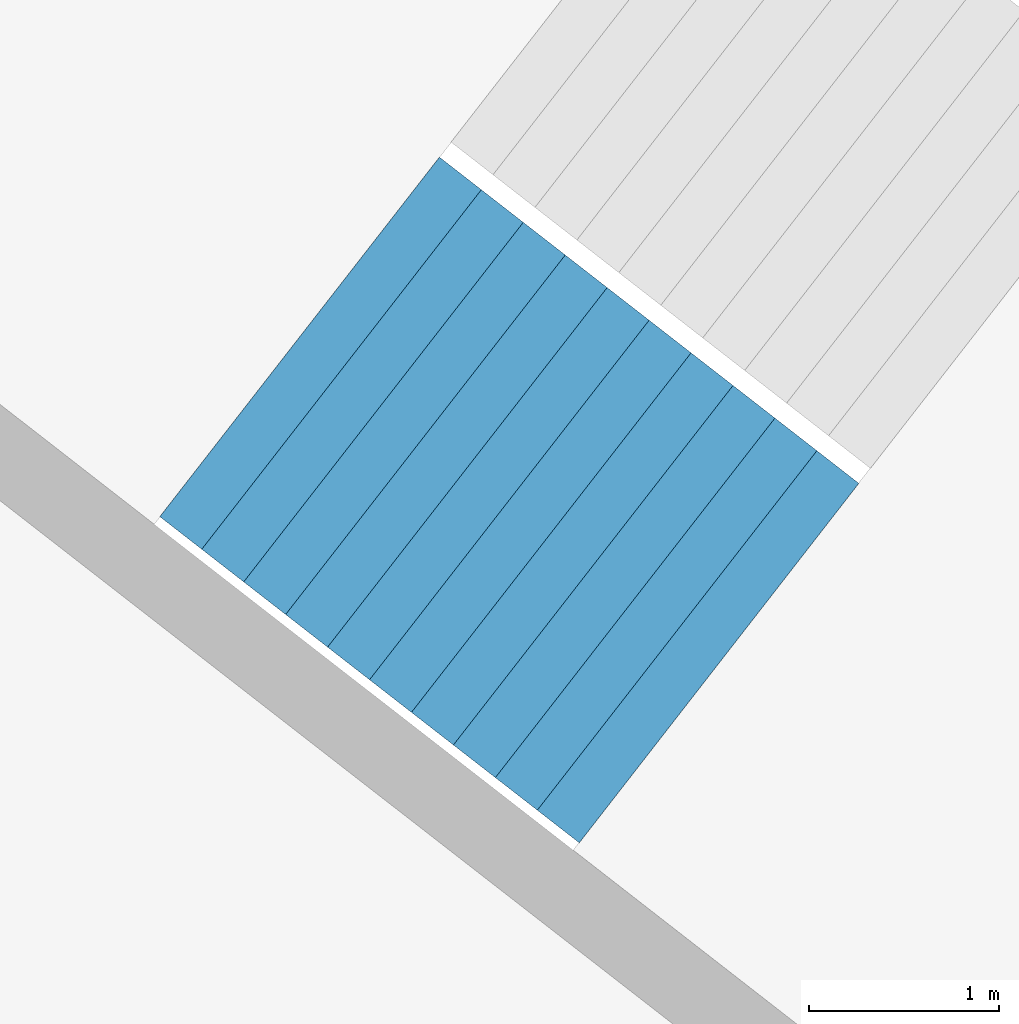
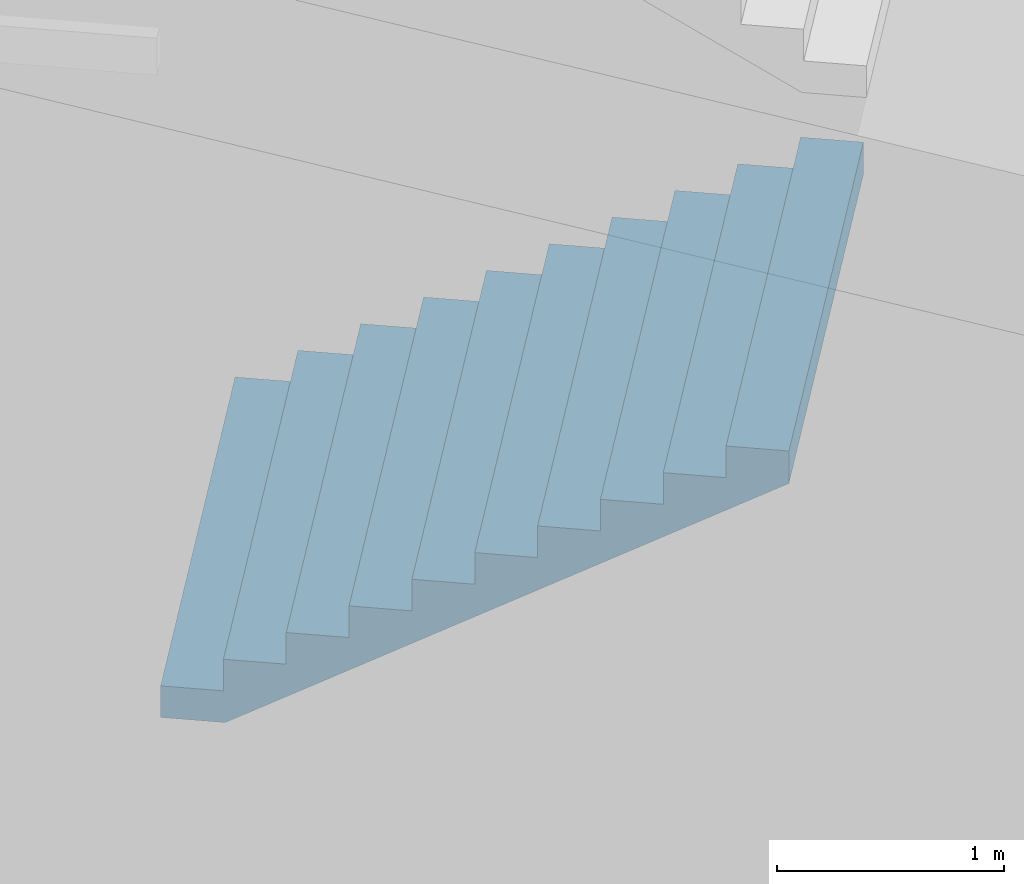
# One storey, part 37 of 73: 1 stair flight, 1 element without a shape of its own.
"""IFC4 building model written with IfcOpenShell, lengths in metres."""

from ifc_helpers import new_model, si_unit, direction, frame, origin, place, context, subcontext, project, spatial, triangles, material, type_object, element, aggregate, save


model = new_model("IFC4")

# Units and contexts
model_context = context("Model", 3, precision=1e-05, world=origin(), true_north=direction((0.0, 1.0)))
body_context = subcontext(model_context, "Body", "Model", "MODEL_VIEW")
ifc_project = project(units=[si_unit("LENGTHUNIT", "METRE"), si_unit("AREAUNIT", "SQUARE_METRE"), si_unit("VOLUMEUNIT", "CUBIC_METRE"), si_unit("PLANEANGLEUNIT", "RADIAN"), si_unit("MASSUNIT", "GRAM", prefix="KILO")], contexts=[model_context])

# Site, building, storey
site_placement = place(None, origin())
site = spatial("IfcSite", under=ifc_project, at=site_placement, CompositionType="ELEMENT")
building_placement = place(site_placement, origin())
building = spatial("IfcBuilding", under=site, at=building_placement, Name="Lantaw Convention Tower", CompositionType="ELEMENT")
storey_placement = place(building_placement, frame((0.0, 0.0, 14.5)))
storey = spatial("IfcBuildingStorey", under=building, at=storey_placement, Name="L02", CompositionType="ELEMENT", Elevation=14.5)

# Stair, stair flight
ifc_material = material(Name="Concrete C35/45", Category="concrete")
stair_type = type_object("IfcStairType", Name="Exit stair 2400 riser 170.45 in 4 flights", PredefinedType="HALF_TURN_STAIR", material=ifc_material)
stair_placement = place(storey_placement, origin())
stair = element("IfcStair", 1, at=stair_placement, inside=storey, type_object=stair_type, Name="Podium exit stair P7 L02", PredefinedType="HALF_TURN_STAIR")
stair_flight_type = type_object("IfcStairFlightType", Name="Stair flight 2400 riser 170.45", PredefinedType="STRAIGHT", material=ifc_material)
stair_flight_placement = place(storey_placement, frame((-31.70458984375, 23.073486328125, 1.875), z_axis=(0.0, 0.0, 1.0), x_axis=(0.789378829664, -0.613906396186, 0.0)))
stair_flight = element("IfcStairFlight", 2, at=stair_flight_placement, type_object=stair_flight_type, Name="P7 flight 2", NumberOfRisers=11, NumberOfTreads=10, PredefinedType="STRAIGHT", RiserHeight=0.170454545, TreadLength=0.28, context=body_context, shape_type="Tessellation", body=[
    triangles([(0.0, 1.199951171875, 0.0), (0.0, 1.199951171875, 0.170454545), (0.28, 1.199951171875, 0.0), (0.28, 1.199951171875, 0.170454545), (0.28, 1.199951171875, 0.34090909), (0.28827876332691904, 1.199951171875, 0.0), (0.28827876332691904, 1.199951171875, 0.34090909), (0.56, 1.199951171875, 0.16541471344266906), (0.56, 1.199951171875, 0.34090909), (0.56, 1.199951171875, 0.511363635), (0.8400000000000001, 1.199951171875, 0.335869258442669), (0.8400000000000001, 1.199951171875, 0.511363635), (0.8400000000000001, 1.199951171875, 0.68181818), (1.12, 1.199951171875, 0.506323803442669), (1.12, 1.199951171875, 0.68181818), (1.12, 1.199951171875, 0.8522727250000001), (1.4000000000000001, 1.199951171875, 0.676778348442669), (1.4000000000000001, 1.199951171875, 0.8522727250000001), (1.4000000000000001, 1.199951171875, 1.02272727), (1.6800000000000002, 1.199951171875, 0.847232893442669), (1.6800000000000002, 1.199951171875, 1.02272727), (1.6800000000000002, 1.199951171875, 1.193181815), (1.9600000000000002, 1.199951171875, 1.017687438442669), (1.9600000000000002, 1.199951171875, 1.193181815), (1.9600000000000002, 1.199951171875, 1.36363636), (2.24, 1.199951171875, 1.188141983442669), (2.24, 1.199951171875, 1.36363636), (2.24, 1.199951171875, 1.5340909050000002), (2.5200000000000005, 1.199951171875, 1.358596528442669), (2.5200000000000005, 1.199951171875, 1.5340909050000002), (2.5200000000000005, 1.199951171875, 1.7045454500000001), (2.8000000000000003, 1.199951171875, 1.529051073442669), (2.8000000000000003, 1.199951171875, 1.7045454500000001), (0.0, -1.199951171875, 0.0), (0.0, -1.199951171875, 0.170454545), (0.28, -1.199951171875, 0.0), (0.28, -1.199951171875, 0.170454545), (0.28, -1.199951171875, 0.34090909), (0.28827876332691904, -1.199951171875, 0.0), (0.28827876332691904, -1.199951171875, 0.34090909), (0.56, -1.199951171875, 0.16541471344266906), (0.56, -1.199951171875, 0.34090909), (0.56, -1.199951171875, 0.511363635), (0.8400000000000001, -1.199951171875, 0.335869258442669), (0.8400000000000001, -1.199951171875, 0.511363635), (0.8400000000000001, -1.199951171875, 0.68181818), (1.12, -1.199951171875, 0.506323803442669), (1.12, -1.199951171875, 0.68181818), (1.12, -1.199951171875, 0.8522727250000001), (1.4000000000000001, -1.199951171875, 0.676778348442669), (1.4000000000000001, -1.199951171875, 0.8522727250000001), (1.4000000000000001, -1.199951171875, 1.02272727), (1.6800000000000002, -1.199951171875, 0.847232893442669), (1.6800000000000002, -1.199951171875, 1.02272727), (1.6800000000000002, -1.199951171875, 1.193181815), (1.9600000000000002, -1.199951171875, 1.017687438442669), (1.9600000000000002, -1.199951171875, 1.193181815), (1.9600000000000002, -1.199951171875, 1.36363636), (2.24, -1.199951171875, 1.188141983442669), (2.24, -1.199951171875, 1.36363636), (2.24, -1.199951171875, 1.5340909050000002), (2.5200000000000005, -1.199951171875, 1.358596528442669), (2.5200000000000005, -1.199951171875, 1.5340909050000002), (2.5200000000000005, -1.199951171875, 1.7045454500000001), (2.8000000000000003, -1.199951171875, 1.529051073442669), (2.8000000000000003, -1.199951171875, 1.7045454500000001), (0.0, 0.239990234375, 0.170454545), (0.0, 0.239990234375, 0.0), (0.0, 0.1199951171875, 0.170454545), (0.0, 0.1199951171875, 0.0), (0.0, 0.0, 0.170454545), (0.0, 0.0, 0.0), (0.0, -0.1199951171875, 0.170454545), (0.0, -0.1199951171875, 0.0), (0.0, -0.239990234375, 0.170454545), (0.0, -0.239990234375, 0.0), (0.28, 0.239990234375, 0.34090909), (0.28, 0.239990234375, 0.170454545), (0.28, 0.1199951171875, 0.34090909), (0.28, 0.1199951171875, 0.170454545), (0.28, 0.0, 0.34090909), (0.28, 0.0, 0.170454545), (0.28, -0.1199951171875, 0.34090909), (0.28, -0.1199951171875, 0.170454545), (0.28, -0.239990234375, 0.34090909), (0.28, -0.239990234375, 0.170454545), (0.56, 0.239990234375, 0.511363635), (0.56, 0.239990234375, 0.34090909), (0.56, 0.1199951171875, 0.511363635), (0.56, 0.1199951171875, 0.34090909), (0.56, 0.0, 0.511363635), (0.56, 0.0, 0.34090909), (0.56, -0.1199951171875, 0.511363635), (0.56, -0.1199951171875, 0.34090909), (0.56, -0.239990234375, 0.511363635), (0.56, -0.239990234375, 0.34090909), (0.8400000000000001, 0.239990234375, 0.68181818), (0.8400000000000001, 0.239990234375, 0.511363635), (0.8400000000000001, 0.1199951171875, 0.68181818), (0.8400000000000001, 0.1199951171875, 0.511363635), (0.8400000000000001, 0.0, 0.68181818), (0.8400000000000001, 0.0, 0.511363635), (0.8400000000000001, -0.1199951171875, 0.68181818), (0.8400000000000001, -0.1199951171875, 0.511363635), (0.8400000000000001, -0.239990234375, 0.68181818), (0.8400000000000001, -0.239990234375, 0.511363635), (1.12, 0.239990234375, 0.8522727250000001), (1.12, 0.239990234375, 0.68181818), (1.12, 0.1199951171875, 0.8522727250000001), (1.12, 0.1199951171875, 0.68181818), (1.12, 0.0, 0.8522727250000001), (1.12, 0.0, 0.68181818), (1.12, -0.1199951171875, 0.8522727250000001), (1.12, -0.1199951171875, 0.68181818), (1.12, -0.239990234375, 0.8522727250000001), (1.12, -0.239990234375, 0.68181818), (1.4000000000000001, 0.239990234375, 1.02272727), (1.4000000000000001, 0.239990234375, 0.8522727250000001), (1.4000000000000001, 0.1199951171875, 1.02272727), (1.4000000000000001, 0.1199951171875, 0.8522727250000001), (1.4000000000000001, 0.0, 1.02272727), (1.4000000000000001, 0.0, 0.8522727250000001), (1.4000000000000001, -0.1199951171875, 1.02272727), (1.4000000000000001, -0.1199951171875, 0.8522727250000001), (1.4000000000000001, -0.239990234375, 1.02272727), (1.4000000000000001, -0.239990234375, 0.8522727250000001), (1.6800000000000002, 0.239990234375, 1.193181815), (1.6800000000000002, 0.239990234375, 1.02272727), (1.6800000000000002, 0.1199951171875, 1.193181815), (1.6800000000000002, 0.1199951171875, 1.02272727), (1.6800000000000002, 0.0, 1.193181815), (1.6800000000000002, 0.0, 1.02272727), (1.6800000000000002, -0.1199951171875, 1.193181815), (1.6800000000000002, -0.1199951171875, 1.02272727), (1.6800000000000002, -0.239990234375, 1.193181815), (1.6800000000000002, -0.239990234375, 1.02272727), (1.9600000000000002, 0.239990234375, 1.36363636), (1.9600000000000002, 0.239990234375, 1.193181815), (1.9600000000000002, 0.1199951171875, 1.36363636), (1.9600000000000002, 0.1199951171875, 1.193181815), (1.9600000000000002, 0.0, 1.36363636), (1.9600000000000002, 0.0, 1.193181815), (1.9600000000000002, -0.1199951171875, 1.36363636), (1.9600000000000002, -0.1199951171875, 1.193181815), (1.9600000000000002, -0.239990234375, 1.36363636), (1.9600000000000002, -0.239990234375, 1.193181815), (2.24, 0.239990234375, 1.5340909050000002), (2.24, 0.239990234375, 1.36363636), (2.24, 0.1199951171875, 1.5340909050000002), (2.24, 0.1199951171875, 1.36363636), (2.24, 0.0, 1.5340909050000002), (2.24, 0.0, 1.36363636), (2.24, -0.1199951171875, 1.5340909050000002), (2.24, -0.1199951171875, 1.36363636), (2.24, -0.239990234375, 1.5340909050000002), (2.24, -0.239990234375, 1.36363636), (2.5200000000000005, 0.239990234375, 1.7045454500000001), (2.5200000000000005, 0.239990234375, 1.5340909050000002), (2.5200000000000005, 0.1199951171875, 1.7045454500000001), (2.5200000000000005, 0.1199951171875, 1.5340909050000002), (2.5200000000000005, 0.0, 1.7045454500000001), (2.5200000000000005, 0.0, 1.5340909050000002), (2.5200000000000005, -0.1199951171875, 1.7045454500000001), (2.5200000000000005, -0.1199951171875, 1.5340909050000002), (2.5200000000000005, -0.239990234375, 1.7045454500000001), (2.5200000000000005, -0.239990234375, 1.5340909050000002), (0.28827876332691904, 0.239990234375, 0.34090909), (0.28827876332691904, 0.1199951171875, 0.34090909), (0.28827876332691904, 0.0, 0.34090909), (0.28827876332691904, -0.1199951171875, 0.34090909), (0.28827876332691904, -0.239990234375, 0.34090909), (2.8000000000000003, 0.239990234375, 1.7045454500000001), (2.8000000000000003, 0.1199951171875, 1.7045454500000001), (2.8000000000000003, 0.0, 1.7045454500000001), (2.8000000000000003, -0.1199951171875, 1.7045454500000001), (2.8000000000000003, -0.239990234375, 1.7045454500000001), (2.8000000000000003, 0.239990234375, 1.5290510734426692), (2.8000000000000003, 0.1199951171875, 1.5290510734426692), (2.8000000000000003, 0.0, 1.5290510734426692), (2.8000000000000003, -0.1199951171875, 1.5290510734426692), (2.8000000000000003, -0.239990234375, 1.5290510734426692), (2.5200000000000005, 0.239990234375, 1.358596528442669), (2.5200000000000005, 0.1199951171875, 1.358596528442669), (2.5200000000000005, 0.0, 1.358596528442669), (2.5200000000000005, -0.1199951171875, 1.358596528442669), (2.5200000000000005, -0.239990234375, 1.358596528442669), (2.24, 0.239990234375, 1.188141983442669), (2.24, 0.1199951171875, 1.188141983442669), (2.24, 0.0, 1.188141983442669), (2.24, -0.1199951171875, 1.188141983442669), (2.24, -0.239990234375, 1.188141983442669), (1.9600000000000002, 0.239990234375, 1.017687438442669), (1.9600000000000002, 0.1199951171875, 1.017687438442669), (1.9600000000000002, 0.0, 1.017687438442669), (1.9600000000000002, -0.1199951171875, 1.017687438442669), (1.9600000000000002, -0.239990234375, 1.017687438442669), (1.6800000000000002, 0.239990234375, 0.847232893442669), (1.6800000000000002, 0.1199951171875, 0.847232893442669), (1.6800000000000002, 0.0, 0.847232893442669), (1.6800000000000002, -0.1199951171875, 0.847232893442669), (1.6800000000000002, -0.239990234375, 0.847232893442669), (1.4000000000000001, 0.239990234375, 0.676778348442669), (1.4000000000000001, 0.1199951171875, 0.676778348442669), (1.4000000000000001, 0.0, 0.676778348442669), (1.4000000000000001, -0.1199951171875, 0.676778348442669), (1.4000000000000001, -0.239990234375, 0.676778348442669), (1.12, 0.239990234375, 0.506323803442669), (1.12, 0.1199951171875, 0.506323803442669), (1.12, 0.0, 0.506323803442669), (1.12, -0.1199951171875, 0.506323803442669), (1.12, -0.239990234375, 0.506323803442669), (0.8400000000000001, 0.239990234375, 0.335869258442669), (0.8400000000000001, 0.1199951171875, 0.335869258442669), (0.8400000000000001, 0.0, 0.335869258442669), (0.8400000000000001, -0.1199951171875, 0.335869258442669), (0.8400000000000001, -0.239990234375, 0.335869258442669), (0.56, 0.239990234375, 0.16541471344266906), (0.56, 0.1199951171875, 0.16541471344266906), (0.56, 0.0, 0.16541471344266906), (0.56, -0.1199951171875, 0.16541471344266906), (0.56, -0.239990234375, 0.16541471344266906), (0.28827876332691904, 0.239990234375, 0.0), (0.28827876332691904, 0.1199951171875, 0.0), (0.28827876332691904, 0.0, 0.0), (0.28827876332691904, -0.1199951171875, 0.0), (0.28827876332691904, -0.239990234375, 0.0), (0.28, 0.239990234375, 0.0), (0.28, 0.1199951171875, 0.0), (0.28, 0.0, 0.0), (0.28, -0.1199951171875, 0.0), (0.28, -0.239990234375, 0.0)], [[1, 4, 3], [1, 2, 4], [3, 4, 6], [4, 7, 6], [4, 5, 7], [6, 9, 8], [6, 7, 9], [8, 9, 11], [9, 12, 11], [9, 10, 12], [11, 12, 14], [12, 15, 14], [12, 13, 15], [14, 15, 17], [15, 18, 17], [15, 16, 18], [17, 18, 20], [18, 21, 20], [18, 19, 21], [20, 21, 23], [21, 24, 23], [21, 22, 24], [23, 24, 26], [24, 27, 26], [24, 25, 27], [26, 27, 29], [27, 30, 29], [27, 28, 30], [29, 30, 32], [30, 33, 32], [30, 31, 33], [34, 36, 37], [34, 37, 35], [36, 39, 37], [37, 39, 40], [37, 40, 38], [39, 41, 42], [39, 42, 40], [41, 44, 42], [42, 44, 45], [42, 45, 43], [44, 47, 45], [45, 47, 48], [45, 48, 46], [47, 50, 48], [48, 50, 51], [48, 51, 49], [50, 53, 51], [51, 53, 54], [51, 54, 52], [53, 56, 54], [54, 56, 57], [54, 57, 55], [56, 59, 57], [57, 59, 60], [57, 60, 58], [59, 62, 60], [60, 62, 63], [60, 63, 61], [62, 65, 63], [63, 65, 66], [63, 66, 64], [1, 67, 2], [1, 68, 67], [68, 69, 67], [68, 70, 69], [70, 71, 69], [70, 72, 71], [72, 73, 71], [72, 74, 73], [74, 75, 73], [74, 76, 75], [76, 35, 75], [76, 34, 35], [4, 77, 5], [4, 78, 77], [78, 79, 77], [78, 80, 79], [80, 81, 79], [80, 82, 81], [82, 83, 81], [82, 84, 83], [84, 85, 83], [84, 86, 85], [86, 38, 85], [86, 37, 38], [9, 87, 10], [9, 88, 87], [88, 89, 87], [88, 90, 89], [90, 91, 89], [90, 92, 91], [92, 93, 91], [92, 94, 93], [94, 95, 93], [94, 96, 95], [96, 43, 95], [96, 42, 43], [12, 97, 13], [12, 98, 97], [98, 99, 97], [98, 100, 99], [100, 101, 99], [100, 102, 101], [102, 103, 101], [102, 104, 103], [104, 105, 103], [104, 106, 105], [106, 46, 105], [106, 45, 46], [15, 107, 16], [15, 108, 107], [108, 109, 107], [108, 110, 109], [110, 111, 109], [110, 112, 111], [112, 113, 111], [112, 114, 113], [114, 115, 113], [114, 116, 115], [116, 49, 115], [116, 48, 49], [18, 117, 19], [18, 118, 117], [118, 119, 117], [118, 120, 119], [120, 121, 119], [120, 122, 121], [122, 123, 121], [122, 124, 123], [124, 125, 123], [124, 126, 125], [126, 52, 125], [126, 51, 52], [21, 127, 22], [21, 128, 127], [128, 129, 127], [128, 130, 129], [130, 131, 129], [130, 132, 131], [132, 133, 131], [132, 134, 133], [134, 135, 133], [134, 136, 135], [136, 55, 135], [136, 54, 55], [24, 137, 25], [24, 138, 137], [138, 139, 137], [138, 140, 139], [140, 141, 139], [140, 142, 141], [142, 143, 141], [142, 144, 143], [144, 145, 143], [144, 146, 145], [146, 58, 145], [146, 57, 58], [27, 147, 28], [27, 148, 147], [148, 149, 147], [148, 150, 149], [150, 151, 149], [150, 152, 151], [152, 153, 151], [152, 154, 153], [154, 155, 153], [154, 156, 155], [156, 61, 155], [156, 60, 61], [30, 157, 31], [30, 158, 157], [158, 159, 157], [158, 160, 159], [160, 161, 159], [160, 162, 161], [162, 163, 161], [162, 164, 163], [164, 165, 163], [164, 166, 165], [166, 64, 165], [166, 63, 64], [2, 78, 4], [2, 67, 78], [67, 80, 78], [67, 69, 80], [69, 82, 80], [69, 71, 82], [71, 84, 82], [71, 73, 84], [73, 86, 84], [73, 75, 86], [75, 37, 86], [75, 35, 37], [5, 167, 7], [5, 77, 167], [77, 168, 167], [77, 79, 168], [79, 169, 168], [79, 81, 169], [81, 170, 169], [81, 83, 170], [83, 171, 170], [83, 85, 171], [85, 40, 171], [85, 38, 40], [7, 88, 9], [7, 167, 88], [167, 90, 88], [167, 168, 90], [168, 92, 90], [168, 169, 92], [169, 94, 92], [169, 170, 94], [170, 96, 94], [170, 171, 96], [171, 42, 96], [171, 40, 42], [10, 98, 12], [10, 87, 98], [87, 100, 98], [87, 89, 100], [89, 102, 100], [89, 91, 102], [91, 104, 102], [91, 93, 104], [93, 106, 104], [93, 95, 106], [95, 45, 106], [95, 43, 45], [13, 108, 15], [13, 97, 108], [97, 110, 108], [97, 99, 110], [99, 112, 110], [99, 101, 112], [101, 114, 112], [101, 103, 114], [103, 116, 114], [103, 105, 116], [105, 48, 116], [105, 46, 48], [16, 118, 18], [16, 107, 118], [107, 120, 118], [107, 109, 120], [109, 122, 120], [109, 111, 122], [111, 124, 122], [111, 113, 124], [113, 126, 124], [113, 115, 126], [115, 51, 126], [115, 49, 51], [19, 128, 21], [19, 117, 128], [117, 130, 128], [117, 119, 130], [119, 132, 130], [119, 121, 132], [121, 134, 132], [121, 123, 134], [123, 136, 134], [123, 125, 136], [125, 54, 136], [125, 52, 54], [22, 138, 24], [22, 127, 138], [127, 140, 138], [127, 129, 140], [129, 142, 140], [129, 131, 142], [131, 144, 142], [131, 133, 144], [133, 146, 144], [133, 135, 146], [135, 57, 146], [135, 55, 57], [25, 148, 27], [25, 137, 148], [137, 150, 148], [137, 139, 150], [139, 152, 150], [139, 141, 152], [141, 154, 152], [141, 143, 154], [143, 156, 154], [143, 145, 156], [145, 60, 156], [145, 58, 60], [28, 158, 30], [28, 147, 158], [147, 160, 158], [147, 149, 160], [149, 162, 160], [149, 151, 162], [151, 164, 162], [151, 153, 164], [153, 166, 164], [153, 155, 166], [155, 63, 166], [155, 61, 63], [31, 172, 33], [31, 157, 172], [157, 173, 172], [157, 159, 173], [159, 174, 173], [159, 161, 174], [161, 175, 174], [161, 163, 175], [163, 176, 175], [163, 165, 176], [165, 66, 176], [165, 64, 66], [33, 177, 32], [33, 172, 177], [172, 178, 177], [172, 173, 178], [173, 179, 178], [173, 174, 179], [174, 180, 179], [174, 175, 180], [175, 181, 180], [175, 176, 181], [176, 65, 181], [176, 66, 65], [32, 182, 29], [32, 177, 182], [177, 183, 182], [177, 178, 183], [178, 184, 183], [178, 179, 184], [179, 185, 184], [179, 180, 185], [180, 186, 185], [180, 181, 186], [181, 62, 186], [181, 65, 62], [29, 187, 26], [29, 182, 187], [182, 188, 187], [182, 183, 188], [183, 189, 188], [183, 184, 189], [184, 190, 189], [184, 185, 190], [185, 191, 190], [185, 186, 191], [186, 59, 191], [186, 62, 59], [26, 192, 23], [26, 187, 192], [187, 193, 192], [187, 188, 193], [188, 194, 193], [188, 189, 194], [189, 195, 194], [189, 190, 195], [190, 196, 195], [190, 191, 196], [191, 56, 196], [191, 59, 56], [23, 197, 20], [23, 192, 197], [192, 198, 197], [192, 193, 198], [193, 199, 198], [193, 194, 199], [194, 200, 199], [194, 195, 200], [195, 201, 200], [195, 196, 201], [196, 53, 201], [196, 56, 53], [20, 202, 17], [20, 197, 202], [197, 203, 202], [197, 198, 203], [198, 204, 203], [198, 199, 204], [199, 205, 204], [199, 200, 205], [200, 206, 205], [200, 201, 206], [201, 50, 206], [201, 53, 50], [17, 207, 14], [17, 202, 207], [202, 208, 207], [202, 203, 208], [203, 209, 208], [203, 204, 209], [204, 210, 209], [204, 205, 210], [205, 211, 210], [205, 206, 211], [206, 47, 211], [206, 50, 47], [14, 212, 11], [14, 207, 212], [207, 213, 212], [207, 208, 213], [208, 214, 213], [208, 209, 214], [209, 215, 214], [209, 210, 215], [210, 216, 215], [210, 211, 216], [211, 44, 216], [211, 47, 44], [11, 217, 8], [11, 212, 217], [212, 218, 217], [212, 213, 218], [213, 219, 218], [213, 214, 219], [214, 220, 219], [214, 215, 220], [215, 221, 220], [215, 216, 221], [216, 41, 221], [216, 44, 41], [8, 222, 6], [8, 217, 222], [217, 223, 222], [217, 218, 223], [218, 224, 223], [218, 219, 224], [219, 225, 224], [219, 220, 225], [220, 226, 225], [220, 221, 226], [221, 39, 226], [221, 41, 39], [6, 227, 3], [6, 222, 227], [222, 228, 227], [222, 223, 228], [223, 229, 228], [223, 224, 229], [224, 230, 229], [224, 225, 230], [225, 231, 230], [225, 226, 231], [226, 36, 231], [226, 39, 36], [3, 68, 1], [3, 227, 68], [227, 70, 68], [227, 228, 70], [228, 72, 70], [228, 229, 72], [229, 74, 72], [229, 230, 74], [230, 76, 74], [230, 231, 76], [231, 34, 76], [231, 36, 34]], closed=True),
])
aggregate(stair, [stair_flight])

save(model, "model.ifc")
